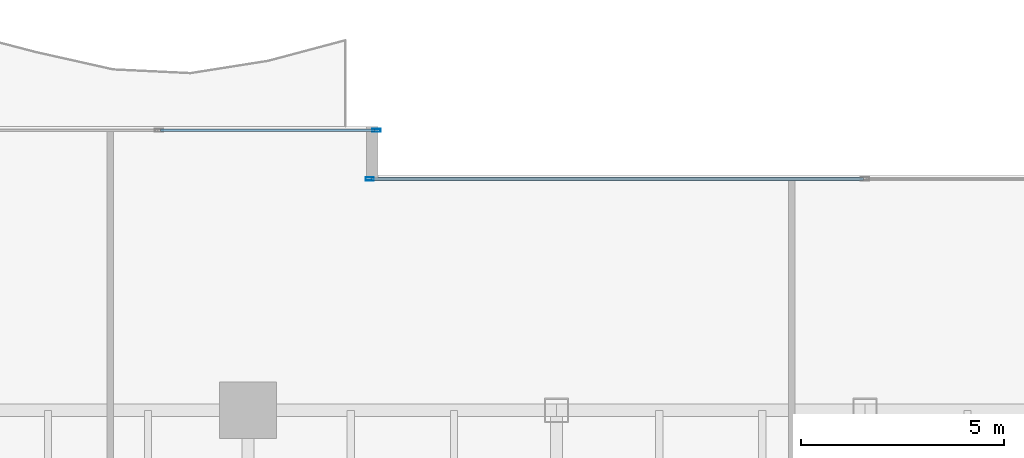
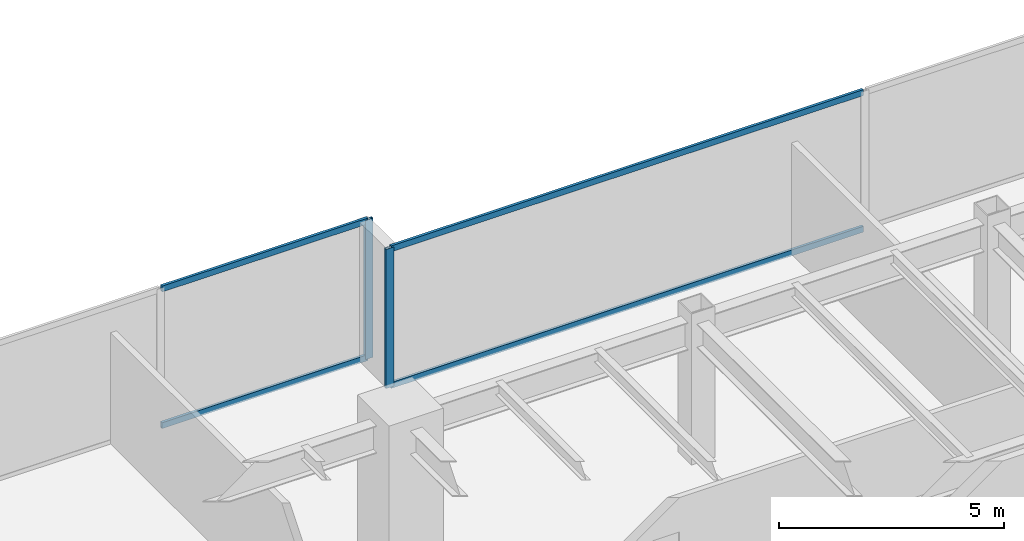
# One storey, part 16 of 31: 6 members, 2 elements without a shape of their own.
"""IFC4 building model written with IfcOpenShell, lengths in metres."""

from ifc_helpers import new_model, si_unit, direction, frame, origin, origin_2d, place, context, subcontext, project, spatial, hollow_rectangle, extrude, source, transform, mapped, material, layer, layer_set, material_profile, profile_set, type_object, type_shapes, element, aggregate, save


model = new_model("IFC4")

# Units and contexts
model_context = context("Model", 3, precision=1e-05, world=origin(), true_north=direction((0.0, 1.0)))
body_context = subcontext(model_context, "Body", "Model", "MODEL_VIEW")
ifc_project = project(units=[si_unit("LENGTHUNIT", "METRE"), si_unit("AREAUNIT", "SQUARE_METRE"), si_unit("VOLUMEUNIT", "CUBIC_METRE"), si_unit("PLANEANGLEUNIT", "RADIAN"), si_unit("MASSUNIT", "GRAM", prefix="KILO")], contexts=[model_context])

# Site, building, storey
site_placement = place(None, origin())
site = spatial("IfcSite", under=ifc_project, at=site_placement, CompositionType="ELEMENT")
building_placement = place(site_placement, origin())
building = spatial("IfcBuilding", under=site, at=building_placement, Name="Haelvirn Gate Laboratories", CompositionType="ELEMENT")
storey_placement = place(building_placement, frame((0.0, 0.0, 62.10009765625)))
storey = spatial("IfcBuildingStorey", under=building, at=storey_placement, Name="L15", CompositionType="ELEMENT", Elevation=62.10009765625)

# Curtain wall, members
ifc_material_1 = material(Name="Anodised bronze unitised aluminium & triple low-E glass", Category="aluminium")
ifc_layer = layer(ifc_material_1, 0.18408203125, Name="CW-SYS-2")
ifc_layer_set = layer_set([ifc_layer], Name="Anodised bronze unitised aluminium & triple low-E glass")
curtain_wall_type = type_object("IfcCurtainWallType", Name="CW-SYS-2", PredefinedType="NOTDEFINED", material=ifc_layer_set)
curtain_wall_1_placement = place(storey_placement, origin())
curtain_wall_1 = element("IfcCurtainWall", 1, at=curtain_wall_1_placement, inside=storey, type_object=curtain_wall_type, Name="L15 Unitised Curtain Wall CW-L15-P0-E12-1", PredefinedType="NOTDEFINED")
ifc_material_2 = material(Name="Extruded aluminium 6063-T6 (anodised bronze)", Category="aluminium")
ifc_material_profile_1 = material_profile(ifc_material_2, hollow_rectangle(XDim=0.070068359375, YDim=0.159912109375, WallThickness=0.0048828125, at=origin_2d()), Name="CWT-160x70x5")
ifc_profile_set_1 = profile_set([ifc_material_profile_1], Name="Extruded aluminium 6063-T6 (anodised bronze)")
member_type_1 = type_object("IfcMemberType", Name="CWT-T160", PredefinedType="USERDEFINED", material=ifc_profile_set_1)
shared_shape_1 = source(origin(), body_context, "Body", "SweptSolid", [
    extrude(hollow_rectangle(XDim=0.070068359375, YDim=0.159912109375, WallThickness=0.0048828125, at=origin_2d()), origin(), (0.0, 0.0, 1.0), 12.12744140625),
])
member_1_placement = place(storey_placement, frame((25.235107421875, 47.300048828125, 0.034912109375), z_axis=(1.0, 0.0, 0.0), x_axis=(0.0, 1.0, 0.0)))
member_1 = element("IfcMember", 2, at=member_1_placement, type_object=member_type_1, Name="CW2 transom 1.1", ObjectType="TRANSOM", PredefinedType="USERDEFINED", context=body_context, shape_type="MappedRepresentation", body=[
    mapped(shared_shape_1, transform((0.0, 0.0, 0.0), scale=1.0)),
])
member_2_placement = place(storey_placement, frame((25.235107421875, 47.300048828125, 3.744873046875), z_axis=(1.0, 0.0, 0.0), x_axis=(0.0, 1.0, 0.0)))
member_2 = element("IfcMember", 3, at=member_2_placement, type_object=member_type_1, Name="CW2 transom 1.2", ObjectType="TRANSOM", PredefinedType="USERDEFINED", context=body_context, shape_type="MappedRepresentation", body=[
    mapped(shared_shape_1, transform((0.0, 0.0, 0.0), scale=1.0)),
])
ifc_material_profile_2 = material_profile(ifc_material_2, hollow_rectangle(XDim=0.074951171875, YDim=0.199951171875, WallThickness=0.0048828125, at=origin_2d()), Name="CWM-200x75x5")
ifc_profile_set_2 = profile_set([ifc_material_profile_2], Name="Extruded aluminium 6063-T6 (anodised bronze)")
member_type_2 = type_object("IfcMemberType", Name="CWM-T200", PredefinedType="MULLION", material=ifc_profile_set_2)
shared_shape_2 = source(origin(), body_context, "Body", "SweptSolid", [
    extrude(hollow_rectangle(XDim=0.074951171875, YDim=0.199951171875, WallThickness=0.0048828125, at=origin_2d()), origin(), (0.0, 0.0, 1.0), 3.77978515625),
])
type_shapes(member_type_2, [shared_shape_2])
member_3_placement = place(storey_placement, frame((25.197509765625, 47.300048828125, 0.0), z_axis=(0.0, 0.0, 1.0), x_axis=(0.0, 1.0, 0.0)))
member_3 = element("IfcMember", 4, at=member_3_placement, type_object=member_type_2, Name="CW2 mullion 1", PredefinedType="MULLION", context=body_context, shape_type="MappedRepresentation", body=[
    mapped(shared_shape_2, transform((0.0, 0.0, 0.0), scale=1.0)),
])
aggregate(curtain_wall_1, [member_3, member_1, member_2])

curtain_wall_2_placement = place(storey_placement, origin())
curtain_wall_2 = element("IfcCurtainWall", 5, at=curtain_wall_2_placement, inside=storey, type_object=curtain_wall_type, Name="L15 Unitised Curtain Wall CW-L15-P0-E14-2", PredefinedType="NOTDEFINED")
member_4_placement = place(storey_placement, frame((25.362548828125, 48.5, 0.0), z_axis=(0.0, 0.0, 1.0), x_axis=(0.0, 1.0, 0.0)))
member_4 = element("IfcMember", 6, at=member_4_placement, type_object=member_type_2, Name="CW2 mullion 3", PredefinedType="MULLION", context=body_context, shape_type="MappedRepresentation", body=[
    mapped(shared_shape_2, transform((0.0, 0.0, 0.0), scale=1.0)),
])
shared_shape_3 = source(origin(), body_context, "Body", "SweptSolid", [
    extrude(hollow_rectangle(XDim=0.070068359375, YDim=0.159912109375, WallThickness=0.0048828125, at=origin_2d()), origin(), (0.0, 0.0, 1.0), 5.282470703125),
])
type_shapes(member_type_1, [shared_shape_1, shared_shape_3])
member_5_placement = place(storey_placement, frame((20.04248046875, 48.5, 0.034912109375), z_axis=(1.0, 0.0, 0.0), x_axis=(0.0, 1.0, 0.0)))
member_5 = element("IfcMember", 7, at=member_5_placement, type_object=member_type_1, Name="CW2 transom 2.1", ObjectType="TRANSOM", PredefinedType="USERDEFINED", context=body_context, shape_type="MappedRepresentation", body=[
    mapped(shared_shape_3, transform((0.0, 0.0, 0.0), scale=1.0)),
])
member_6_placement = place(storey_placement, frame((20.04248046875, 48.5, 3.744873046875), z_axis=(1.0, 0.0, 0.0), x_axis=(0.0, 1.0, 0.0)))
member_6 = element("IfcMember", 8, at=member_6_placement, type_object=member_type_1, Name="CW2 transom 2.2", ObjectType="TRANSOM", PredefinedType="USERDEFINED", context=body_context, shape_type="MappedRepresentation", body=[
    mapped(shared_shape_3, transform((0.0, 0.0, 0.0), scale=1.0)),
])
aggregate(curtain_wall_2, [member_4, member_5, member_6])

save(model, "model.ifc")
